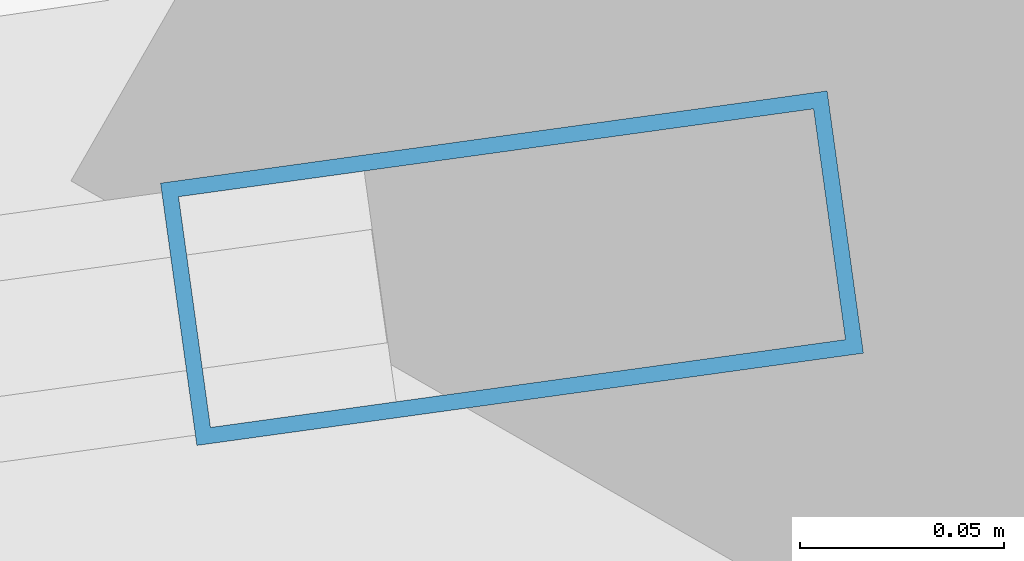
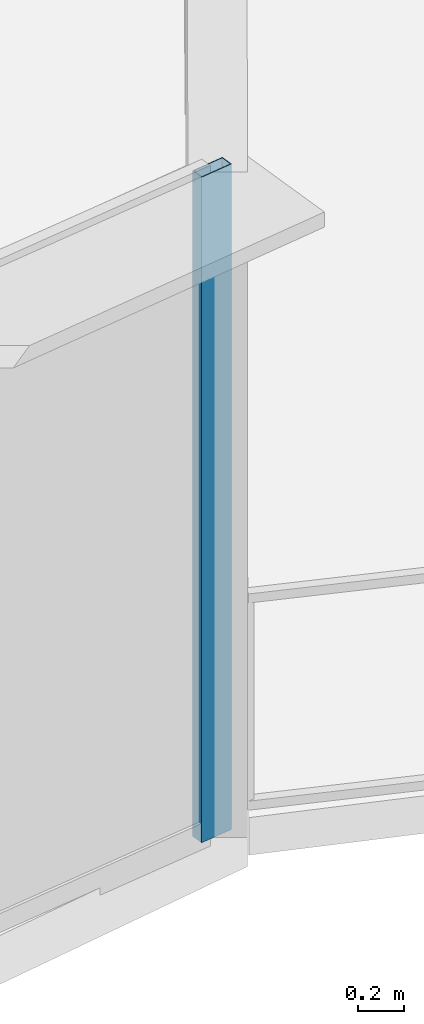
# One storey, part 20 of 36: 1 member, 1 element without a shape of its own.
"""IFC4 building model written with IfcOpenShell, lengths in metres."""

import ifcopenshell
import ifcopenshell.guid

model = None  # the IFC model being written
_history = None  # IfcOwnerHistory: only IFC2X3 demands one
_inside = {}  # id of a spatial element -> (the spatial element, [elements in it])
_under = {}  # id of a project, library or spatial element -> (it, [spatial elements below it])
_declared = {}  # id of a project -> (the project, [libraries it declares])
_typed = {}  # id of a type object -> (the type object, [elements of that type])
_made_of = {}  # id of a material, layer set ... -> (it, [elements and type objects made of it])


def new_model(schema):
    """Start an empty IFC model of exactly this schema.

    Asked for "IFC4X3", IfcOpenShell would pick the latest addendum, in which some entities
    have other attributes; the version numbers below select the first issue.
    IFC2X3 requires an IfcOwnerHistory on every rooted entity: one is made here for all.
    """
    global model, _history
    if schema == "IFC4X3":
        model = ifcopenshell.file(schema_version=(4, 3, 0, 0))
    else:
        model = ifcopenshell.file(schema=schema)
    _inside.clear()
    _under.clear()
    _declared.clear()
    _typed.clear()
    _made_of.clear()
    _history = None
    if model.schema == "IFC2X3":
        org = make("IfcOrganization", Name="unknown")
        user = make(
            "IfcPersonAndOrganization",
            ThePerson=make("IfcPerson", FamilyName="unknown"),
            TheOrganization=org,
        )
        app = make(
            "IfcApplication",
            ApplicationDeveloper=org,
            Version="unknown",
            ApplicationFullName="unknown",
            ApplicationIdentifier="unknown",
        )
        _history = make(
            "IfcOwnerHistory",
            OwningUser=user,
            OwningApplication=app,
            ChangeAction="ADDED",
            CreationDate=0,
        )
    return model


def make(cls, **values):
    """One entity of the class cls with the attributes given. An attribute that is None is left unset."""
    return model.create_entity(
        cls, **{name: value for name, value in values.items() if value is not None}
    )


def rooted(cls, **values):
    """An entity with a GlobalId (a new one), such as an element, a storey or a relation."""
    return make(cls, GlobalId=ifcopenshell.guid.new(), OwnerHistory=_history, **values)


def si_unit(unit_type, name, prefix=None):
    """IfcSIUnit, for example si_unit("LENGTHUNIT", "METRE", prefix="MILLI")."""
    return make("IfcSIUnit", UnitType=unit_type, Prefix=prefix, Name=name)


def assignment(units):
    """IfcUnitAssignment: the units of a project."""
    return None if units is None else make("IfcUnitAssignment", Units=units)


def point(xyz):
    """IfcCartesianPoint."""
    return None if xyz is None else make("IfcCartesianPoint", Coordinates=xyz)


def direction(xyz):
    """IfcDirection."""
    return None if xyz is None else make("IfcDirection", DirectionRatios=xyz)


def frame(location, z_axis=None, x_axis=None):
    """IfcAxis2Placement3D, a coordinate frame: its origin and axes. An axis left out is left unset."""
    return make(
        "IfcAxis2Placement3D",
        Location=point(location),
        Axis=direction(z_axis),
        RefDirection=direction(x_axis),
    )


def frame_2d(location, x_axis=None):
    """IfcAxis2Placement2D, a coordinate frame in the plane: its origin and x axis."""
    return make(
        "IfcAxis2Placement2D", Location=point(location), RefDirection=direction(x_axis)
    )


def origin():
    """The frame at (0, 0, 0) with its axes left unset."""
    return frame((0.0, 0.0, 0.0))


def origin_2d():
    """The frame at (0, 0) in the plane with its x axis left unset."""
    return frame_2d((0.0, 0.0))


def place(relative_to, where):
    """IfcLocalPlacement: puts the frame where relative to a parent placement (None: the world)."""
    return make(
        "IfcLocalPlacement", PlacementRelTo=relative_to, RelativePlacement=where
    )


def context(
    kind, dimensions, precision=None, world=None, true_north=None, identifier=None
):
    """IfcGeometricRepresentationContext, for example the 3D "Model" context."""
    return make(
        "IfcGeometricRepresentationContext",
        ContextIdentifier=identifier,
        ContextType=kind,
        CoordinateSpaceDimension=dimensions,
        Precision=precision,
        WorldCoordinateSystem=world,
        TrueNorth=true_north,
    )


def subcontext(parent, identifier, kind, view, scale=None):
    """IfcGeometricRepresentationSubContext, for example "Body" below "Model"."""
    return make(
        "IfcGeometricRepresentationSubContext",
        ContextIdentifier=identifier,
        ContextType=kind,
        ParentContext=parent,
        TargetScale=scale,
        TargetView=view,
    )


def project(units=None, contexts=None):
    """IfcProject with its units and contexts."""
    return rooted(
        "IfcProject",
        Name="project",
        RepresentationContexts=contexts,
        UnitsInContext=assignment(units),
    )


def spatial(cls, under=None, at=None, **own):
    """A site, building, storey or space (cls), placed at a placement, below another one or the project."""
    s = rooted(cls, ObjectPlacement=at, **own)
    if under is not None:
        _under.setdefault(under.id(), (under, []))[1].append(s)
    return s


def profile(cls, at=None, kind="AREA", **sizes):
    """A parametric profile (cls). Its sizes go by their IFC names, for example OverallWidth=200.0."""
    return make(cls, ProfileType=kind, Position=at, **sizes)


def hollow_rectangle(**sizes):
    """IfcRectangleHollowProfileDef."""
    return profile("IfcRectangleHollowProfileDef", **sizes)


def extrude(swept, where, along, depth):
    """IfcExtrudedAreaSolid: the profile swept, set in the frame where, extruded along a direction by depth."""
    return make(
        "IfcExtrudedAreaSolid",
        SweptArea=swept,
        Position=where,
        ExtrudedDirection=direction(along),
        Depth=depth,
    )


def shape(context_of_items, identifier, shape_type, items):
    """IfcShapeRepresentation: the items that make up one representation, for example the "Body"."""
    return make(
        "IfcShapeRepresentation",
        ContextOfItems=context_of_items,
        RepresentationIdentifier=identifier,
        RepresentationType=shape_type,
        Items=items,
    )


def source(mapping_origin, context_of_items, identifier, shape_type, items):
    """IfcRepresentationMap: a shape defined once, which mapped items show again and again."""
    return make(
        "IfcRepresentationMap",
        MappingOrigin=mapping_origin,
        MappedRepresentation=shape(context_of_items, identifier, shape_type, items),
    )


def transform(
    local_origin,
    x_axis=None,
    y_axis=None,
    z_axis=None,
    scale=None,
    scale2=None,
    scale3=None,
    uniform=True,
):
    """IfcCartesianTransformationOperator3D, or its non-uniform kind. x_axis, y_axis, z_axis: its Axis1, 2, 3."""
    if uniform:
        return make(
            "IfcCartesianTransformationOperator3D",
            Axis1=direction(x_axis),
            Axis2=direction(y_axis),
            LocalOrigin=point(local_origin),
            Scale=scale,
            Axis3=direction(z_axis),
        )
    return make(
        "IfcCartesianTransformationOperator3DnonUniform",
        Axis1=direction(x_axis),
        Axis2=direction(y_axis),
        LocalOrigin=point(local_origin),
        Scale=scale,
        Axis3=direction(z_axis),
        Scale2=scale2,
        Scale3=scale3,
    )


def mapped(mapping_source, mapping_target):
    """IfcMappedItem: shows the shape of a source again, moved by a transform."""
    return make(
        "IfcMappedItem", MappingSource=mapping_source, MappingTarget=mapping_target
    )


def material(Name=None, Category=None):
    """IfcMaterial."""
    return make("IfcMaterial", Name=Name, Category=Category)


def layer(
    of_material, thickness, ventilated=None, Name=None, Category=None, Priority=None
):
    """IfcMaterialLayer: one layer of a wall or slab, of a material (None: an air gap)."""
    return make(
        "IfcMaterialLayer",
        Material=of_material,
        LayerThickness=thickness,
        IsVentilated=ventilated,
        Name=Name,
        Category=Category,
        Priority=Priority,
    )


def layer_set(layers, Name=None):
    """IfcMaterialLayerSet."""
    return make("IfcMaterialLayerSet", MaterialLayers=layers, LayerSetName=Name)


def material_profile(
    of_material, cross_section, Name=None, Category=None, Priority=None
):
    """IfcMaterialProfile: a cross section and its material."""
    return make(
        "IfcMaterialProfile",
        Name=Name,
        Material=of_material,
        Profile=cross_section,
        Priority=Priority,
        Category=Category,
    )


def profile_set(profiles, Name=None, composite=None):
    """IfcMaterialProfileSet."""
    return make(
        "IfcMaterialProfileSet",
        Name=Name,
        MaterialProfiles=profiles,
        CompositeProfile=composite,
    )


def made_of(thing, what):
    """Note that an element or type object is made of a material, layer set ...; save() writes the relation."""
    if what is not None:
        _made_of.setdefault(what.id(), (what, []))[1].append(thing)
    return thing


def type_object(cls, material=None, **own):
    """A type object (cls), such as IfcWallType, which elements share."""
    return made_of(rooted(cls, **own), material)


def element(
    cls,
    number,
    at=None,
    inside=None,
    cuts=None,
    type_object=None,
    material=None,
    context=None,
    identifier="Body",
    shape_type=None,
    held_by="IfcProductDefinitionShape",
    body=None,
    shapes=None,
    **own,
):
    """One element of the class cls, such as IfcWall. Its Tag is "e" and its number.

    at: its placement. inside: the storey or other place that contains it. cuts: it is an
    opening in that element (IfcRelVoidsElement). A single representation is given by context,
    identifier, shape_type and body (its items); several are given by shapes. held_by: the class
    of the entity that holds the representations. save() writes the other relations.
    """
    e = rooted(cls, Tag="e%d" % number, ObjectPlacement=at, **own)
    if body is not None:
        shapes = [shape(context, identifier, shape_type, body)]
    if shapes is not None:
        e.Representation = make(held_by, Representations=shapes)
    if inside is not None:
        _inside.setdefault(inside.id(), (inside, []))[1].append(e)
    if cuts is not None:
        rooted(
            "IfcRelVoidsElement", RelatingBuildingElement=cuts, RelatedOpeningElement=e
        )
    if type_object is not None:
        _typed.setdefault(type_object.id(), (type_object, []))[1].append(e)
    return made_of(e, material)


def aggregate(whole, parts):
    """IfcRelAggregates: a whole, such as a stair, and the parts it consists of."""
    return rooted("IfcRelAggregates", RelatingObject=whole, RelatedObjects=parts)


def save(model, path):
    """Write the relations noted so far, then the file.

    IfcRelAggregates (storeys below a building ...), IfcRelContainedInSpatialStructure (elements
    in a storey), IfcRelDefinesByType, IfcRelAssociatesMaterial and IfcRelDeclares: one each for
    every whole, place, type object, material and project.
    """
    for whole, parts in _under.values():
        aggregate(whole, parts)
    for where, things in _inside.values():
        rooted(
            "IfcRelContainedInSpatialStructure",
            RelatedElements=things,
            RelatingStructure=where,
        )
    for kind, things in _typed.values():
        rooted("IfcRelDefinesByType", RelatedObjects=things, RelatingType=kind)
    for what, things in _made_of.values():
        rooted("IfcRelAssociatesMaterial", RelatedObjects=things, RelatingMaterial=what)
    for by, libraries in _declared.values():
        rooted("IfcRelDeclares", RelatingContext=by, RelatedDefinitions=libraries)
    model.write(path)


model = new_model("IFC4")

# Units and contexts
model_context = context("Model", 3, precision=1e-05, world=origin(), true_north=direction((0.0, 1.0)))
body_context = subcontext(model_context, "Body", "Model", "MODEL_VIEW")
ifc_project = project(units=[si_unit("LENGTHUNIT", "METRE"), si_unit("AREAUNIT", "SQUARE_METRE"), si_unit("VOLUMEUNIT", "CUBIC_METRE"), si_unit("PLANEANGLEUNIT", "RADIAN"), si_unit("MASSUNIT", "GRAM", prefix="KILO"), si_unit("THERMODYNAMICTEMPERATUREUNIT", "KELVIN"), si_unit("POWERUNIT", "WATT")], contexts=[model_context])

# Site, building, storey
site_placement = place(None, origin())
site = spatial("IfcSite", under=ifc_project, at=site_placement, CompositionType="ELEMENT")
building_placement = place(site_placement, origin())
building = spatial("IfcBuilding", under=site, at=building_placement, Name="Yunzhuo Pagoda Commons", CompositionType="ELEMENT")
storey_placement = place(building_placement, frame((0.0, 0.0, 107.780029296875)))
storey = spatial("IfcBuildingStorey", under=building, at=storey_placement, Name="L27", CompositionType="ELEMENT", Elevation=107.780029296875)

# Curtain wall, member
ifc_material = material(Name="Anodized aluminium 6063-T6", Category="aluminium")
ifc_layer = layer(ifc_material, 0.1650390625)
ifc_layer_set = layer_set([ifc_layer], Name="Anodized aluminium 6063-T6")
curtain_wall_type = type_object("IfcCurtainWallType", Name="CW-LOW Low-Zone Ribbon Curtain Wall", PredefinedType="NOTDEFINED", material=ifc_layer_set)
curtain_wall_placement = place(storey_placement, origin())
curtain_wall = element("IfcCurtainWall", 1, at=curtain_wall_placement, inside=storey, type_object=curtain_wall_type, Name="L27 curtain wall CW-L27-F1B5", PredefinedType="NOTDEFINED")
ifc_material_profile = material_profile(ifc_material, hollow_rectangle(XDim=0.06494140625, YDim=0.1650390625, WallThickness=0.00390625, at=origin_2d()), Name="Anodized aluminium 6063-T6")
ifc_profile_set = profile_set([ifc_material_profile], Name="Anodized aluminium 6063-T6")
member_type = type_object("IfcMemberType", Name="CW-LOW-M Mullion RHS 165x65x4", PredefinedType="MULLION", material=ifc_profile_set)
shared_shape = source(origin(), body_context, "Body", "SweptSolid", [
    extrude(hollow_rectangle(XDim=0.06494140625, YDim=0.1650390625, WallThickness=0.00390625, at=origin_2d()), origin(), (0.0, 0.0, 1.0), 3.5400390625),
])
member_placement = place(storey_placement, frame((84.8310546875, 15.470947265625, 0.0), z_axis=(0.0, 0.0, 1.0), x_axis=(-0.137082225692, 0.990559671801, 0.0)))
member = element("IfcMember", 2, at=member_placement, type_object=member_type, Name="CW mullion 2", PredefinedType="MULLION", context=body_context, shape_type="MappedRepresentation", body=[
    mapped(shared_shape, transform((0.0, 0.0, 0.0), scale=1.0)),
])
aggregate(curtain_wall, [member])

save(model, "model.ifc")
